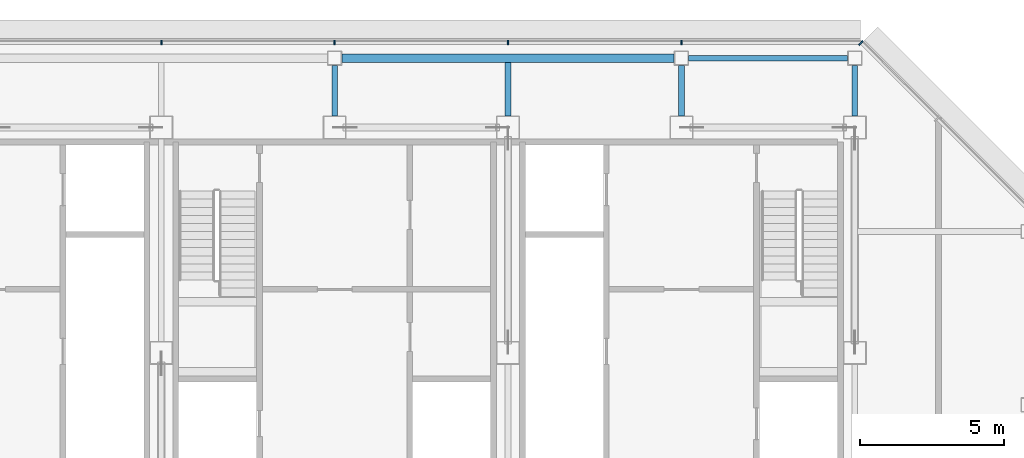
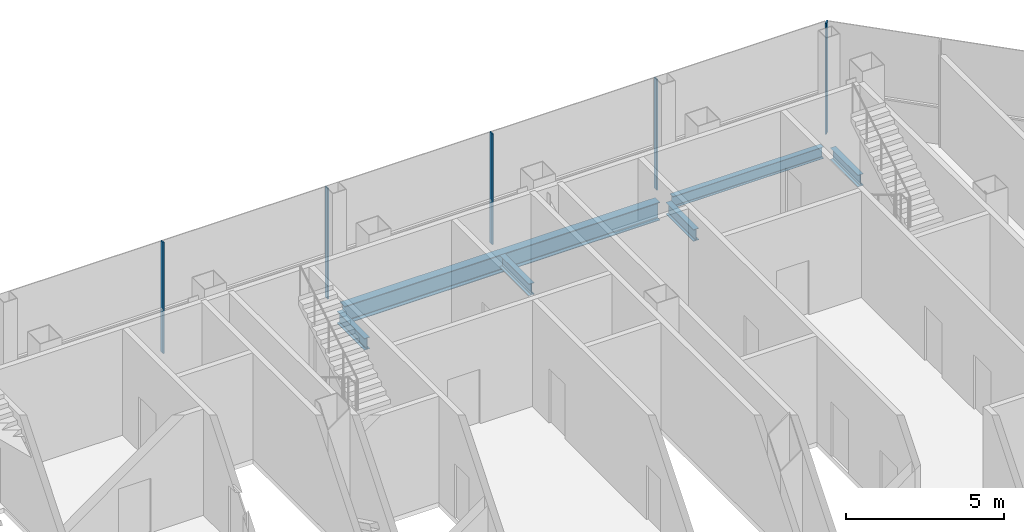
# One storey, part 16 of 29: 6 beams, 5 members, 2 elements without a shape of their own.
"""IFC4 building model written with IfcOpenShell, lengths in metres."""

from ifc_helpers import new_model, si_unit, direction, frame, origin, origin_2d, place, context, subcontext, project, spatial, rectangle, i_section, extrude, material, material_profile, profile_set, type_object, element, aggregate, save


model = new_model("IFC4")

# Units and contexts
model_context = context("Model", 3, precision=1e-05, world=origin(), true_north=direction((0.0, 1.0)))
body_context = subcontext(model_context, "Body", "Model", "MODEL_VIEW")
ifc_project = project(units=[si_unit("LENGTHUNIT", "METRE"), si_unit("AREAUNIT", "SQUARE_METRE"), si_unit("VOLUMEUNIT", "CUBIC_METRE"), si_unit("PLANEANGLEUNIT", "RADIAN"), si_unit("MASSUNIT", "GRAM", prefix="KILO")], contexts=[model_context])

# Site, building, storey
site_placement = place(None, origin())
site = spatial("IfcSite", under=ifc_project, at=site_placement, CompositionType="ELEMENT")
building_placement = place(site_placement, origin())
building = spatial("IfcBuilding", under=site, at=building_placement, Name="Sorahane Residences", CompositionType="ELEMENT")
storey_placement = place(building_placement, frame((0.0, 0.0, 326.800048828125)))
storey = spatial("IfcBuildingStorey", under=building, at=storey_placement, Name="L78", CompositionType="ELEMENT", Elevation=326.800048828125)

# Curtain wall, members
ifc_material_1 = material(Name="Dark low-e glass and black anodised aluminium", Category="aluminium")
curtain_wall_type_1 = type_object("IfcCurtainWallType", Name="Curtain wall CW-1 Typical unitised wall", PredefinedType="NOTDEFINED", material=ifc_material_1)
curtain_wall_1_placement = place(storey_placement, origin())
curtain_wall_1 = element("IfcCurtainWall", 1, at=curtain_wall_1_placement, inside=storey, type_object=curtain_wall_type_1, Name="CW-1 curtain wall L78 N1", PredefinedType="NOTDEFINED")
ifc_material_2 = material(Name="Black anodised aluminium", Category="aluminium")
ifc_material_profile_1 = material_profile(ifc_material_2, rectangle(XDim=0.159912109375, YDim=0.050048828125, at=origin_2d()), Name="Curtain wall mullion CW-1 black anodised aluminium 50x160")
ifc_profile_set_1 = profile_set([ifc_material_profile_1], Name="Black anodised aluminium")
member_type_1 = type_object("IfcMemberType", Name="Curtain wall mullion CW-1 black anodised aluminium 50x160", PredefinedType="MULLION", material=ifc_profile_set_1)
member_1_placement = place(storey_placement, frame((36.0, 48.5400390625, -0.179931640625), z_axis=(0.0, 0.0, 1.0), x_axis=(0.0, 1.0, 0.0)))
member_1 = element("IfcMember", 2, at=member_1_placement, type_object=member_type_1, Name="CW-1 mullion L78 N1.2", PredefinedType="MULLION", context=body_context, shape_type="SweptSolid", body=[
    extrude(rectangle(XDim=0.159912109375, YDim=0.050048828125, at=origin_2d()), origin(), (0.0, 0.0, 1.0), 4.27978515625),
])
member_2_placement = place(storey_placement, frame((30.0, 48.5400390625, -0.179931640625), z_axis=(0.0, 0.0, 1.0), x_axis=(0.0, 1.0, 0.0)))
member_2 = element("IfcMember", 3, at=member_2_placement, type_object=member_type_1, Name="CW-1 mullion L78 N1.3", PredefinedType="MULLION", context=body_context, shape_type="SweptSolid", body=[
    extrude(rectangle(XDim=0.159912109375, YDim=0.050048828125, at=origin_2d()), origin(), (0.0, 0.0, 1.0), 4.27978515625),
])
member_3_placement = place(storey_placement, frame((24.0, 48.5400390625, -0.179931640625), z_axis=(0.0, 0.0, 1.0), x_axis=(0.0, 1.0, 0.0)))
member_3 = element("IfcMember", 4, at=member_3_placement, type_object=member_type_1, Name="CW-1 mullion L78 N1.4", PredefinedType="MULLION", context=body_context, shape_type="SweptSolid", body=[
    extrude(rectangle(XDim=0.159912109375, YDim=0.050048828125, at=origin_2d()), origin(), (0.0, 0.0, 1.0), 4.27978515625),
])
member_4_placement = place(storey_placement, frame((18.0, 48.5400390625, -0.179931640625), z_axis=(0.0, 0.0, 1.0), x_axis=(0.0, 1.0, 0.0)))
member_4 = element("IfcMember", 5, at=member_4_placement, type_object=member_type_1, Name="CW-1 mullion L78 N1.5", PredefinedType="MULLION", context=body_context, shape_type="SweptSolid", body=[
    extrude(rectangle(XDim=0.159912109375, YDim=0.050048828125, at=origin_2d()), origin(), (0.0, 0.0, 1.0), 4.27978515625),
])
aggregate(curtain_wall_1, [member_1, member_2, member_3, member_4])

# Curtain wall, member
ifc_material_3 = material(Name="Dark low-e glass and black anodised aluminium", Category="aluminium")
curtain_wall_type_2 = type_object("IfcCurtainWallType", Name="Curtain wall CW-2 Chamfer unitised wall", PredefinedType="NOTDEFINED", material=ifc_material_3)
curtain_wall_2_placement = place(storey_placement, origin())
curtain_wall_2 = element("IfcCurtainWall", 6, at=curtain_wall_2_placement, inside=storey, type_object=curtain_wall_type_2, Name="CW-2 curtain wall L78 NE1", PredefinedType="NOTDEFINED")
ifc_material_4 = material(Name="Black anodised aluminium", Category="aluminium")
ifc_material_profile_2 = material_profile(ifc_material_4, rectangle(XDim=0.199951171875, YDim=0.050048828125, at=origin_2d()), Name="Curtain wall mullion CW-2 black anodised aluminium 50x200")
ifc_profile_set_2 = profile_set([ifc_material_profile_2], Name="Black anodised aluminium")
member_type_2 = type_object("IfcMemberType", Name="Curtain wall mullion CW-2 black anodised aluminium 50x200", PredefinedType="MULLION", material=ifc_profile_set_2)
member_5_placement = place(storey_placement, frame((42.209716796875, 48.525634765625, -0.179931640625), z_axis=(0.0, 0.0, 1.0), x_axis=(0.707106781187, 0.707106781187, 0.0)))
member_5 = element("IfcMember", 7, at=member_5_placement, type_object=member_type_2, Name="CW-2 mullion L78 NE1.3", PredefinedType="MULLION", context=body_context, shape_type="SweptSolid", body=[
    extrude(rectangle(XDim=0.199951171875, YDim=0.050048828125, at=origin_2d()), origin(), (0.0, 0.0, 1.0), 4.27978515625),
])
aggregate(curtain_wall_2, [member_5])

# Beams
ifc_material_5 = material(Name="Steel Q355B", Category="steel")
ifc_material_profile_3 = material_profile(ifc_material_5, i_section(OverallWidth=0.199951171875, OverallDepth=0.449951171875, WebThickness=0.009033203125, FlangeThickness=0.013916015625, FilletRadius=0.02001953125, at=origin_2d()), Name="HN 450x200x9x14")
ifc_profile_set_3 = profile_set([ifc_material_profile_3], Name="Steel Q355B")
beam_type_1 = type_object("IfcBeamType", Name="Steel floor beam HN 450x200x9x14 Q355B", PredefinedType="BEAM", material=ifc_profile_set_3)
beam_1_placement = place(storey_placement, frame((36.25, 48.0, -0.405029296875), z_axis=(1.0, 0.0, 0.0), x_axis=(0.0, 1.0, 0.0)))
element("IfcBeam", 8, at=beam_1_placement, inside=storey, type_object=beam_type_1, Name="Beam L78 019", PredefinedType="BEAM", context=body_context, shape_type="SweptSolid", body=[
    extrude(i_section(OverallWidth=0.199951171875, OverallDepth=0.449951171875, WebThickness=0.009033203125, FlangeThickness=0.013916015625, FilletRadius=0.02001953125, at=origin_2d()), origin(), (0.0, 0.0, 1.0), 5.5),
])
beam_2_placement = place(storey_placement, frame((24.0, 46.0, -0.405029296875), z_axis=(0.0, 1.0, 0.0), x_axis=(-1.0, 0.0, 0.0)))
element("IfcBeam", 9, at=beam_2_placement, inside=storey, type_object=beam_type_1, Name="Beam L78 047", PredefinedType="BEAM", context=body_context, shape_type="SweptSolid", body=[
    extrude(i_section(OverallWidth=0.199951171875, OverallDepth=0.449951171875, WebThickness=0.009033203125, FlangeThickness=0.013916015625, FilletRadius=0.02001953125, at=origin_2d()), origin(), (0.0, 0.0, 1.0), 1.75),
])
beam_3_placement = place(storey_placement, frame((30.0, 46.0, -0.405029296875), z_axis=(0.0, 1.0, 0.0), x_axis=(-1.0, 0.0, 0.0)))
element("IfcBeam", 10, at=beam_3_placement, inside=storey, type_object=beam_type_1, Name="Beam L78 053", PredefinedType="BEAM", context=body_context, shape_type="SweptSolid", body=[
    extrude(i_section(OverallWidth=0.199951171875, OverallDepth=0.449951171875, WebThickness=0.009033203125, FlangeThickness=0.013916015625, FilletRadius=0.02001953125, at=origin_2d()), origin(), (0.0, 0.0, 1.0), 1.85009765625),
])
for number, where, z_axis, x_axis, name in (
    (11, (36.0, 46.0, -0.405029296875), (0.0, 1.0, 0.0), (-1.0, 0.0, 0.0), "Beam L78 055"),
    (12, (42.0, 46.0, -0.405029296875), (0.0, 1.0, 0.0), (-1.0, 0.0, 0.0), "Beam L78 061"),
):
    element("IfcBeam", number, at=place(storey_placement, frame(where, z_axis=z_axis, x_axis=x_axis)), inside=storey, type_object=beam_type_1, Name=name, PredefinedType="BEAM", context=body_context, shape_type="SweptSolid", body=[
        extrude(i_section(OverallWidth=0.199951171875, OverallDepth=0.449951171875, WebThickness=0.009033203125, FlangeThickness=0.013916015625, FilletRadius=0.02001953125, at=origin_2d()), origin(), (0.0, 0.0, 1.0), 1.75),
    ])
ifc_material_6 = material(Name="Steel Q355B", Category="steel")
ifc_material_profile_4 = material_profile(ifc_material_6, i_section(OverallWidth=0.300048828125, OverallDepth=0.699951171875, WebThickness=0.012939453125, FlangeThickness=0.02392578125, FilletRadius=0.028076171875, at=origin_2d()), Name="HN 700x300x13x24")
ifc_profile_set_4 = profile_set([ifc_material_profile_4], Name="Steel Q355B")
beam_type_2 = type_object("IfcBeamType", Name="Steel floor beam HN 700x300x13x24 Q355B", PredefinedType="BEAM", material=ifc_profile_set_4)
beam_4_placement = place(storey_placement, frame((24.25, 48.0, -0.530029296875), z_axis=(1.0, 0.0, 0.0), x_axis=(0.0, 1.0, 0.0)))
element("IfcBeam", 13, at=beam_4_placement, inside=storey, type_object=beam_type_2, Name="Beam L78 018", PredefinedType="BEAM", context=body_context, shape_type="SweptSolid", body=[
    extrude(i_section(OverallWidth=0.300048828125, OverallDepth=0.699951171875, WebThickness=0.012939453125, FlangeThickness=0.02392578125, FilletRadius=0.028076171875, at=origin_2d()), origin(), (0.0, 0.0, 1.0), 11.5),
])

save(model, "model.ifc")
